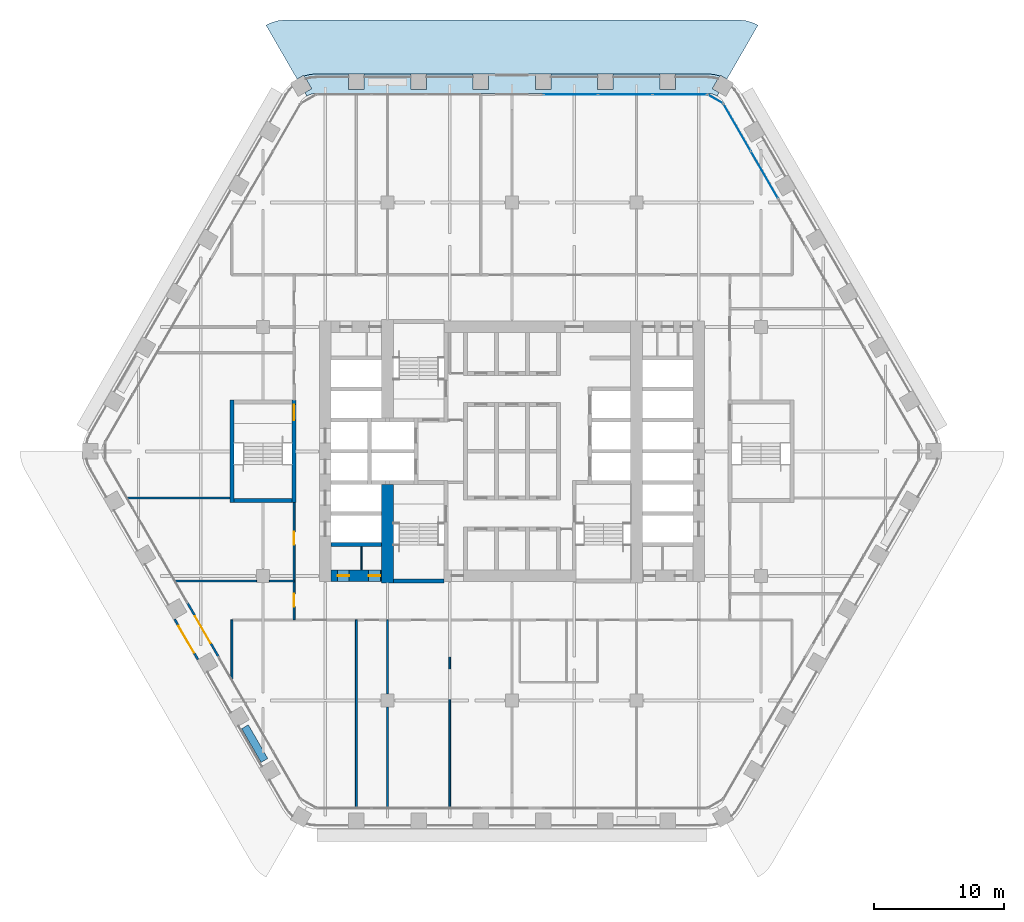
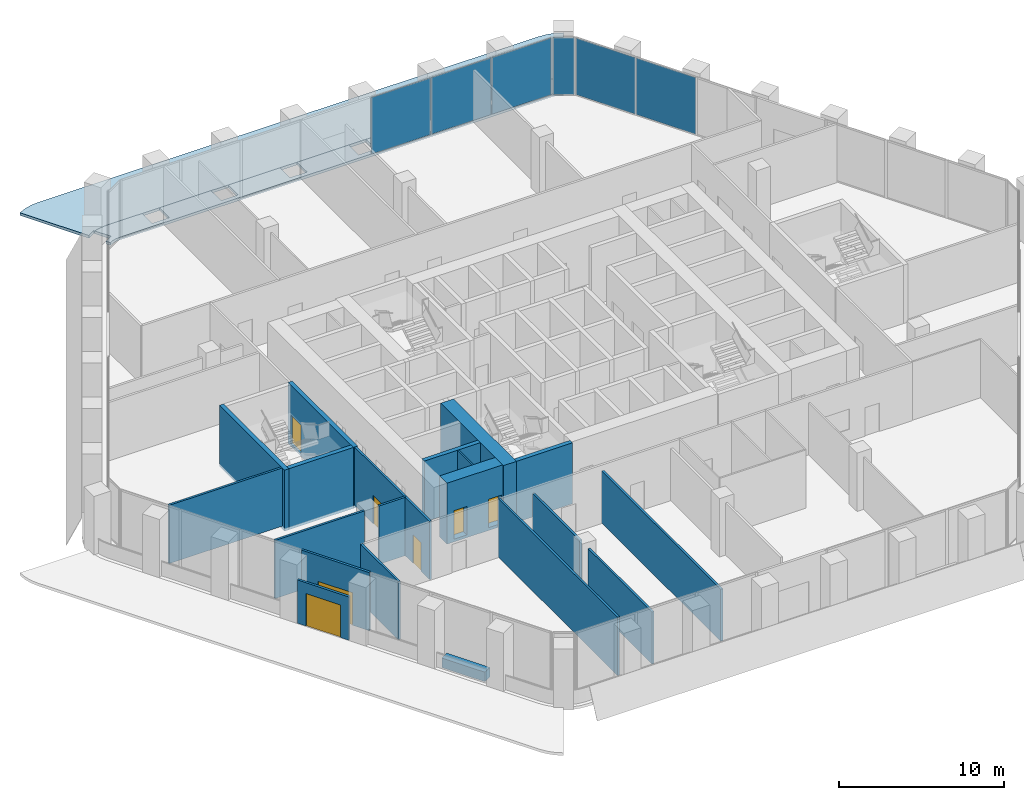
# One storey, part 12 of 23: 20 walls, 7 doors, 6 plates, 2 slabs, 7 openings, 3 elements without a shape of their own.
"""IFC4 building model written with IfcOpenShell, lengths in metres."""

from ifc_helpers import new_model, si_unit, direction, frame, frame_2d, origin, origin_2d, place, context, subcontext, project, spatial, polyline, rectangle, outline, extrude, material, layer, layer_set, type_object, element, fill, aggregate, save


model = new_model("IFC4")

# Units and contexts
model_context = context("Model", 3, precision=1e-05, world=origin(), true_north=direction((0.0, 1.0)))
body_context = subcontext(model_context, "Body", "Model", "MODEL_VIEW")
ifc_project = project(units=[si_unit("LENGTHUNIT", "METRE"), si_unit("AREAUNIT", "SQUARE_METRE"), si_unit("VOLUMEUNIT", "CUBIC_METRE"), si_unit("PLANEANGLEUNIT", "RADIAN"), si_unit("MASSUNIT", "GRAM", prefix="KILO")], contexts=[model_context])

# Site, building, storey
site_placement = place(None, origin())
site = spatial("IfcSite", under=ifc_project, at=site_placement, CompositionType="ELEMENT")
building_placement = place(site_placement, origin())
building = spatial("IfcBuilding", under=site, at=building_placement, Name="Kolab Exchange Tower", CompositionType="ELEMENT")
storey_placement = place(building_placement, frame((0.0, 0.0, 77.89990234375)))
storey = spatial("IfcBuildingStorey", under=building, at=storey_placement, Name="L14", CompositionType="ELEMENT", Elevation=77.89990234375)

# Slabs
ifc_material_1 = material(Name="Concrete C35/45", Category="concrete")
ifc_layer_1 = layer(ifc_material_1, 0.199951171875)
ifc_layer_set_1 = layer_set([ifc_layer_1], Name="Concrete C35/45")
slab_type_1 = type_object("IfcSlabType", Name="LOGGIA SLAB 200", PredefinedType="FLOOR", material=ifc_layer_set_1)
slab_1_placement = place(storey_placement, frame((0.0, 0.0, -0.199951171875)))
element("IfcSlab", 1, at=slab_1_placement, inside=storey, type_object=slab_type_1, Name="slab/L14/loggia/0-0", PredefinedType="FLOOR", context=body_context, shape_type="SweptSolid", body=[
    extrude(outline(polyline([(15.81787109375, 27.3974609375), (15.968017578125, 27.6572265625), (15.4482421875, 27.957275390625), (16.014892578125, 28.938720703125), (15.5888671875, 29.052978515625), (15.06787109375, 29.098388671875), (12.60009765625, 29.098388671875), (12.60009765625, 27.8984375), (11.39990234375, 27.8984375), (11.39990234375, 29.098388671875), (7.800048828125, 29.098388671875), (7.800048828125, 27.8984375), (6.60009765625, 27.8984375), (6.60009765625, 29.098388671875), (3.0, 29.098388671875), (3.0, 27.8984375), (1.800048828125, 27.8984375), (1.800048828125, 29.098388671875), (-1.800048828125, 29.098388671875), (-1.800048828125, 27.8984375), (-3.0, 27.8984375), (-3.0, 29.098388671875), (-6.60009765625, 29.098388671875), (-6.60009765625, 27.8984375), (-7.800048828125, 27.8984375), (-7.800048828125, 29.098388671875), (-11.39990234375, 29.098388671875), (-11.39990234375, 27.8984375), (-12.60009765625, 27.8984375), (-12.60009765625, 29.098388671875), (-15.06787109375, 29.098388671875), (-15.5888671875, 29.052978515625), (-16.014892578125, 28.938720703125), (-15.4482421875, 27.957275390625), (-15.968017578125, 27.6572265625), (-15.81787109375, 27.3974609375), (-15.5810546875, 27.508056640625), (-15.328369140625, 27.57568359375), (-15.06787109375, 27.598388671875), (15.06787109375, 27.598388671875), (15.328369140625, 27.57568359375), (15.5810546875, 27.508056640625), (15.81787109375, 27.3974609375)])), origin(), (0.0, 0.0, 1.0), 0.199951171875),
])
ifc_layer_2 = layer(ifc_material_1, 0.199951171875)
ifc_layer_set_2 = layer_set([ifc_layer_2], Name="Concrete C35/45")
slab_type_2 = type_object("IfcSlabType", Name="TERRACE SLAB 200 PLANTED", PredefinedType="ROOF", material=ifc_layer_set_2)
slab_2_placement = place(storey_placement, frame((0.0, 0.0, -0.199951171875)))
element("IfcSlab", 2, at=slab_2_placement, inside=storey, type_object=slab_type_2, Name="slab/L13/ledge-L14-F1/0", PredefinedType="ROOF", context=body_context, shape_type="SweptSolid", body=[
    extrude(outline(polyline([(-18.968017578125, 32.853515625), (-16.56787109375, 28.696533203125), (-16.04833984375, 28.99658203125), (-16.014892578125, 28.938720703125), (-15.5888671875, 29.052978515625), (-15.06787109375, 29.098388671875), (-12.60009765625, 29.098388671875), (-11.39990234375, 29.098388671875), (-7.800048828125, 29.098388671875), (-6.60009765625, 29.098388671875), (-3.0, 29.098388671875), (-1.800048828125, 29.098388671875), (1.800048828125, 29.098388671875), (3.0, 29.098388671875), (6.60009765625, 29.098388671875), (7.800048828125, 29.098388671875), (11.39990234375, 29.098388671875), (12.60009765625, 29.098388671875), (15.06787109375, 29.098388671875), (15.5888671875, 29.052978515625), (16.014892578125, 28.938720703125), (16.04833984375, 28.99658203125), (16.56787109375, 28.696533203125), (18.968017578125, 32.853515625), (18.493896484375, 33.074462890625), (17.989013671875, 33.209716796875), (17.468017578125, 33.25537109375), (-17.468017578125, 33.25537109375), (-17.989013671875, 33.209716796875), (-18.493896484375, 33.074462890625), (-18.968017578125, 32.853515625)])), origin(), (0.0, 0.0, 1.0), 0.199951171875),
])

# Curtain wall, plates
ifc_material_2 = material(Name="Aluminium EN AW-6063 T6", Category="aluminium")
curtain_wall_type = type_object("IfcCurtainWallType", Name="UNITISED LOWER MID ZONE CURTAIN WALL", PredefinedType="NOTDEFINED", material=ifc_material_2)
curtain_wall_1_placement = place(storey_placement, origin())
curtain_wall_1 = element("IfcCurtainWall", 3, at=curtain_wall_1_placement, inside=storey, type_object=curtain_wall_type, Name="cw/L14/F1-2", PredefinedType="NOTDEFINED")
ifc_material_3 = material(Name="Clear insulated glazing unit", Category="glass")
ifc_layer_3 = layer(ifc_material_3, 0.02587890625)
ifc_layer_set_3 = layer_set([ifc_layer_3], Name="Clear insulated glazing unit")
plate_type = type_object("IfcPlateType", Name="UNITISED LOWER MID ZONE GLASS PANEL 26", PredefinedType="CURTAIN_PANEL", material=ifc_layer_set_3)
plate_1_placement = place(storey_placement, frame((4.5263671875, 27.5185546875, 0.06005859375), z_axis=(0.0, 0.0, 1.0), x_axis=(1.0, 0.0, 0.0)))
plate_1 = element("IfcPlate", 4, at=plate_1_placement, type_object=plate_type, Name="CW2 panel 1.1", PredefinedType="CURTAIN_PANEL", context=body_context, shape_type="SweptSolid", body=[
    extrude(rectangle(XDim=4.132568359375, YDim=0.02587890625, at=origin_2d()), origin(), (0.0, 0.0, 1.0), 4.179931640625),
])
plate_2_placement = place(storey_placement, frame((8.73388671875, 27.5185546875, 0.06005859375), z_axis=(0.0, 0.0, 1.0), x_axis=(1.0, 0.0, 0.0)))
plate_2 = element("IfcPlate", 5, at=plate_2_placement, type_object=plate_type, Name="CW2 panel 2.1", PredefinedType="CURTAIN_PANEL", context=body_context, shape_type="SweptSolid", body=[
    extrude(rectangle(XDim=4.16259765625, YDim=0.02587890625, at=origin_2d()), origin(), (0.0, 0.0, 1.0), 4.179931640625),
])
plate_3_placement = place(storey_placement, frame((12.941650390625, 27.5185546875, 0.06005859375), z_axis=(0.0, 0.0, 1.0), x_axis=(1.0, 0.0, 0.0)))
plate_3 = element("IfcPlate", 6, at=plate_3_placement, type_object=plate_type, Name="CW2 panel 3.1", PredefinedType="CURTAIN_PANEL", context=body_context, shape_type="SweptSolid", body=[
    extrude(rectangle(XDim=4.132568359375, YDim=0.02587890625, at=origin_2d()), origin(), (0.0, 0.0, 1.0), 4.179931640625),
])
aggregate(curtain_wall_1, [plate_1, plate_2, plate_3])

curtain_wall_2_placement = place(storey_placement, origin())
curtain_wall_2 = element("IfcCurtainWall", 7, at=curtain_wall_2_placement, inside=storey, type_object=curtain_wall_type, Name="cw/L14/F2-1", PredefinedType="NOTDEFINED")
plate_4_placement = place(storey_placement, frame((17.36083984375, 24.967041015625, 0.06005859375), z_axis=(0.0, 0.0, 1.0), x_axis=(0.500000017564, -0.866025393644, 0.0)))
plate_4 = element("IfcPlate", 8, at=plate_4_placement, type_object=plate_type, Name="CW2 panel 1.1", PredefinedType="CURTAIN_PANEL", context=body_context, shape_type="SweptSolid", body=[
    extrude(rectangle(XDim=4.132568359375, YDim=0.02587890625, at=origin_2d()), origin(), (0.0, 0.0, 1.0), 4.179931640625),
])
plate_5_placement = place(storey_placement, frame((19.464599609375, 21.322998046875, 0.06005859375), z_axis=(0.0, 0.0, 1.0), x_axis=(0.500000017564, -0.866025393644, 0.0)))
plate_5 = element("IfcPlate", 9, at=plate_5_placement, type_object=plate_type, Name="CW2 panel 2.1", PredefinedType="CURTAIN_PANEL", context=body_context, shape_type="SweptSolid", body=[
    extrude(rectangle(XDim=4.16259765625, YDim=0.02587890625, at=origin_2d()), origin(), (0.0, 0.0, 1.0), 4.179931640625),
])
aggregate(curtain_wall_2, [plate_4, plate_5])

# Curtain wall, plate
curtain_wall_3_placement = place(storey_placement, origin())
curtain_wall_3 = element("IfcCurtainWall", 10, at=curtain_wall_3_placement, inside=storey, type_object=curtain_wall_type, Name="cw/L14/F1F2-corner", PredefinedType="NOTDEFINED")
plate_6_placement = place(storey_placement, frame((15.682861328125, 27.16357421875, 0.06005859375), z_axis=(0.0, 0.0, 1.0), x_axis=(0.866025390869, -0.50000002237, 0.0)))
plate_6 = element("IfcPlate", 11, at=plate_6_placement, type_object=plate_type, Name="CW2 panel 1.1", PredefinedType="CURTAIN_PANEL", context=body_context, shape_type="SweptSolid", body=[
    extrude(rectangle(XDim=1.300048828125, YDim=0.02587890625, at=origin_2d()), origin(), (0.0, 0.0, 1.0), 4.179931640625),
])
aggregate(curtain_wall_3, [plate_6])

# Wall, openings, doors
ifc_material_4 = material(Name="Concrete C70/85", Category="concrete")
ifc_layer_4 = layer(ifc_material_4, 0.89990234375)
ifc_layer_set_4 = layer_set([ifc_layer_4], Name="Concrete C70/85")
wall_type_1 = type_object("IfcWallType", Name="CORE WALL 900 C70/85", PredefinedType="SHEAR", material=ifc_layer_set_4)
wall_1_placement = place(storey_placement, frame((-13.949951171875, -9.60009765625, -0.199951171875), z_axis=(0.0, 0.0, 1.0), x_axis=(1.0, 0.0, 0.0)))
wall_1 = element("IfcWall", 12, at=wall_1_placement, inside=storey, type_object=wall_type_1, Name="wall/L14/core/002", PredefinedType="SHEAR", context=body_context, shape_type="SweptSolid", body=[
    extrude(rectangle(XDim=3.89990234375, YDim=0.89990234375, at=frame_2d((1.949951171875, 0.0))), origin(), (0.0, 0.0, 1.0), 4.5),
])
opening_1_placement = place(wall_1_placement, frame((0.5, 0.0, 0.199951171875)))
opening_1 = element("IfcOpeningElement", 13, at=opening_1_placement, cuts=wall_1, Name="Opening D6-209", PredefinedType="OPENING", context=body_context, shape_type="SweptSolid", body=[
    extrude(rectangle(XDim=0.89990234375, YDim=2.10009765625, at=frame_2d((0.449951171875, 1.050048828125))), frame((0.0, 0.4599609375, 0.0), z_axis=(0.0, -1.0, 0.0), x_axis=(1.0, 0.0, 0.0)), (0.0, 0.0, 1.0), 0.919921875),
])
opening_2_placement = place(wall_1_placement, frame((2.89990234375, 0.0, 0.199951171875)))
opening_2 = element("IfcOpeningElement", 14, at=opening_2_placement, cuts=wall_1, Name="Opening D6-210", PredefinedType="OPENING", context=body_context, shape_type="SweptSolid", body=[
    extrude(rectangle(XDim=0.89990234375, YDim=2.10009765625, at=frame_2d((0.449951171875, 1.050048828125))), frame((0.0, 0.4599609375, 0.0), z_axis=(0.0, -1.0, 0.0), x_axis=(1.0, 0.0, 0.0)), (0.0, 0.0, 1.0), 0.919921875),
])
ifc_material_5 = material(Name="Steel S235", Category="steel")
door_type_1 = type_object("IfcDoorType", Name="CORE DOOR 900 EI 120", OperationType="SINGLE_SWING_LEFT", PredefinedType="DOOR", material=ifc_material_5)
door_1_placement = place(opening_1_placement, origin())
door_1 = element("IfcDoor", 15, at=door_1_placement, inside=storey, type_object=door_type_1, Name="Service room door", OperationType="SINGLE_SWING_LEFT", OverallHeight=2.10009765625, OverallWidth=0.89990234375, PredefinedType="DOOR", context=body_context, shape_type="SweptSolid", body=[
    extrude(rectangle(XDim=0.89990234375, YDim=2.10009765625, at=frame_2d((0.449951171875, 1.050048828125))), frame((0.0, 0.02490234375, 0.0), z_axis=(0.0, -1.0, 0.0), x_axis=(1.0, 0.0, 0.0)), (0.0, 0.0, 1.0), 0.050048828125),
])
fill(opening_1, door_1)
door_2_placement = place(opening_2_placement, origin())
door_2 = element("IfcDoor", 16, at=door_2_placement, inside=storey, type_object=door_type_1, Name="Service room door", OperationType="SINGLE_SWING_LEFT", OverallHeight=2.10009765625, OverallWidth=0.89990234375, PredefinedType="DOOR", context=body_context, shape_type="SweptSolid", body=[
    extrude(rectangle(XDim=0.89990234375, YDim=2.10009765625, at=frame_2d((0.449951171875, 1.050048828125))), frame((0.0, 0.02490234375, 0.0), z_axis=(0.0, -1.0, 0.0), x_axis=(1.0, 0.0, 0.0)), (0.0, 0.0, 1.0), 0.050048828125),
])
fill(opening_2, door_2)

# Wall
wall_2_placement = place(storey_placement, frame((-9.60009765625, -10.14990234375, -0.199951171875), z_axis=(0.0, 0.0, 1.0), x_axis=(0.0, 1.0, 0.0)))
element("IfcWall", 17, at=wall_2_placement, inside=storey, type_object=wall_type_1, Name="wall/L14/core/059", PredefinedType="SHEAR", context=body_context, shape_type="SweptSolid", body=[
    extrude(rectangle(XDim=7.599853515625, YDim=0.89990234375, at=frame_2d((3.7998046875, 0.0))), origin(), (0.0, 0.0, 1.0), 4.5),
])

# Wall, opening, door
ifc_layer_5 = layer(ifc_material_2, 0.159912109375)
ifc_layer_set_5 = layer_set([ifc_layer_5], Name="Aluminium EN AW-6063 T6")
wall_type_2 = type_object("IfcWallType", Name="DOOR SURROUND WALL 160 ALUMINIUM FRAMED", PredefinedType="PARTITIONING", material=ifc_layer_set_5)
wall_3_placement = place(storey_placement, frame((-22.646728515625, -15.811767578125, 0.0), z_axis=(0.0, 0.0, 1.0), x_axis=(-0.499978080042, 0.866038058908, 0.0)))
wall_3 = element("IfcWall", 18, at=wall_3_placement, inside=storey, type_object=wall_type_2, Name="Door surround wall", PredefinedType="PARTITIONING", context=body_context, shape_type="SweptSolid", body=[
    extrude(rectangle(XDim=4.739990234375, YDim=0.159912109375, at=frame_2d((2.3701171875, 0.0))), origin(), (0.0, 0.0, 1.0), 4.300048828125),
])
opening_3_placement = place(wall_3_placement, frame((1.169921875, 0.0, 0.0)))
opening_3 = element("IfcOpeningElement", 19, at=opening_3_placement, cuts=wall_3, Name="Opening GD1-038", PredefinedType="OPENING", context=body_context, shape_type="SweptSolid", body=[
    extrude(rectangle(XDim=2.39990234375, YDim=2.39990234375, at=frame_2d((1.199951171875, 1.199951171875))), frame((0.0, 0.08984375, 0.0), z_axis=(0.0, -1.0, 0.0), x_axis=(1.0, 0.0, 0.0)), (0.0, 0.0, 1.0), 0.179931640625),
])
door_type_2 = type_object("IfcDoorType", Name="LOGGIA SLIDING GLASS DOOR 2400 X 2400", OperationType="DOUBLE_DOOR_SINGLE_SWING", PredefinedType="DOOR", material=ifc_material_2)
door_3_placement = place(opening_3_placement, origin())
door_3 = element("IfcDoor", 20, at=door_3_placement, inside=storey, type_object=door_type_2, Name="Loggia door", OperationType="DOUBLE_DOOR_SLIDING", OverallHeight=2.39990234375, OverallWidth=2.39990234375, PredefinedType="DOOR", context=body_context, shape_type="SweptSolid", body=[
    extrude(rectangle(XDim=2.39990234375, YDim=2.39990234375, at=frame_2d((1.199951171875, 1.199951171875))), frame((0.0, 0.02490234375, 0.0), z_axis=(0.0, -1.0, 0.0), x_axis=(1.0, 0.0, 0.0)), (0.0, 0.0, 1.0), 0.050048828125),
])
fill(opening_3, door_3)

wall_4_placement = place(storey_placement, frame((-24.21435546875, -16.056396484375, 0.0), z_axis=(0.0, 0.0, 1.0), x_axis=(-0.500016292001, 0.866015997389, 0.0)))
wall_4 = element("IfcWall", 21, at=wall_4_placement, inside=storey, type_object=wall_type_2, Name="Door surround wall", PredefinedType="PARTITIONING", context=body_context, shape_type="SweptSolid", body=[
    extrude(rectangle(XDim=3.59619140625, YDim=0.159912109375, at=frame_2d((1.798095703125, 0.0))), origin(), (0.0, 0.0, 1.0), 3.2001953125),
])
opening_4_placement = place(wall_4_placement, frame((0.597900390625, 0.0, 0.0)))
opening_4 = element("IfcOpeningElement", 22, at=opening_4_placement, cuts=wall_4, Name="Opening GD1-042", PredefinedType="OPENING", context=body_context, shape_type="SweptSolid", body=[
    extrude(rectangle(XDim=2.39990234375, YDim=2.39990234375, at=frame_2d((1.199951171875, 1.199951171875))), frame((0.0, 0.08984375, 0.0), z_axis=(0.0, -1.0, 0.0), x_axis=(1.0, 0.0, 0.0)), (0.0, 0.0, 1.0), 0.179931640625),
])
door_4_placement = place(opening_4_placement, origin())
door_4 = element("IfcDoor", 23, at=door_4_placement, inside=storey, type_object=door_type_2, Name="Terrace door", OperationType="DOUBLE_DOOR_SLIDING", OverallHeight=2.39990234375, OverallWidth=2.39990234375, PredefinedType="DOOR", context=body_context, shape_type="SweptSolid", body=[
    extrude(rectangle(XDim=2.39990234375, YDim=2.39990234375, at=frame_2d((1.199951171875, 1.199951171875))), frame((0.0, 0.02490234375, 0.0), z_axis=(0.0, -1.0, 0.0), x_axis=(1.0, 0.0, 0.0)), (0.0, 0.0, 1.0), 0.050048828125),
])
fill(opening_4, door_4)

# Walls
ifc_material_6 = material(Name="Concrete C50/60", Category="concrete")
ifc_layer_6 = layer(ifc_material_6, 0.300048828125)
ifc_layer_set_6 = layer_set([ifc_layer_6], Name="Concrete C50/60")
wall_type_3 = type_object("IfcWallType", Name="LIFT SHAFT WALL 300 C50/60", PredefinedType="STANDARD", material=ifc_layer_set_6)
wall_5_placement = place(storey_placement, frame((-13.949951171875, -7.199951171875, -0.199951171875), z_axis=(0.0, 0.0, 1.0), x_axis=(1.0, 0.0, 0.0)))
element("IfcWall", 24, at=wall_5_placement, inside=storey, type_object=wall_type_3, Name="wall/L14/core/005", PredefinedType="STANDARD", context=body_context, shape_type="SweptSolid", body=[
    extrude(rectangle(XDim=3.89990234375, YDim=0.300048828125, at=frame_2d((1.949951171875, 0.0))), origin(), (0.0, 0.0, 1.0), 4.5),
])
ifc_material_7 = material(Name="Gypsum board", Category="gypsum")
ifc_layer_7 = layer(ifc_material_7, 0.10009765625)
ifc_layer_set_7 = layer_set([ifc_layer_7], Name="Gypsum board")
wall_type_4 = type_object("IfcWallType", Name="PARTITION 100", PredefinedType="PARTITIONING", material=ifc_layer_set_7)
wall_6_placement = place(storey_placement, frame((-11.60009765625, -9.14990234375, 0.0), z_axis=(0.0, 0.0, 1.0), x_axis=(0.0, 1.0, 0.0)))
element("IfcWall", 25, at=wall_6_placement, inside=storey, type_object=wall_type_4, Name="Partition 026", PredefinedType="PARTITIONING", context=body_context, shape_type="SweptSolid", body=[
    extrude(rectangle(XDim=1.7998046875, YDim=0.10009765625, at=frame_2d((0.89990234375, 0.0))), origin(), (0.0, 0.0, 1.0), 4.300048828125),
])
ifc_layer_8 = layer(ifc_material_7, 0.14990234375)
ifc_layer_set_8 = layer_set([ifc_layer_8], Name="Gypsum board")
wall_type_5 = type_object("IfcWallType", Name="PARTITION 150 FIRE-RATED", PredefinedType="PARTITIONING", material=ifc_layer_set_8)
wall_7_placement = place(storey_placement, frame((-4.800048828125, -27.428466796875, 0.0), z_axis=(0.0, 0.0, 1.0), x_axis=(0.0, 1.0, 0.0)))
element("IfcWall", 26, at=wall_7_placement, inside=storey, type_object=wall_type_5, Name="Partition 019", PredefinedType="PARTITIONING", context=body_context, shape_type="SweptSolid", body=[
    extrude(rectangle(XDim=14.428466796875, YDim=0.14990234375, at=frame_2d((7.21435546875, 0.0))), origin(), (0.0, 0.0, 1.0), 3.843017578125),
])
wall_8_placement = place(storey_placement, frame((-9.60009765625, -27.428466796875, 0.0), z_axis=(0.0, 0.0, 1.0), x_axis=(0.0, 1.0, 0.0)))
element("IfcWall", 27, at=wall_8_placement, inside=storey, type_object=wall_type_5, Name="Partition 023", PredefinedType="PARTITIONING", context=body_context, shape_type="SweptSolid", body=[
    extrude(rectangle(XDim=7.728515625, YDim=0.14990234375, at=frame_2d((3.8642578125, 0.0))), origin(), (0.0, 0.0, 1.0), 3.843017578125),
])
wall_9_placement = place(storey_placement, frame((-9.60009765625, -18.699951171875, 0.0), z_axis=(0.0, 0.0, 1.0), x_axis=(0.0, 1.0, 0.0)))
element("IfcWall", 28, at=wall_9_placement, inside=storey, type_object=wall_type_5, Name="Partition 024", PredefinedType="PARTITIONING", context=body_context, shape_type="SweptSolid", body=[
    extrude(rectangle(XDim=5.699951171875, YDim=0.14990234375, at=frame_2d((2.85009765625, 0.0))), origin(), (0.0, 0.0, 1.0), 3.843017578125),
])
wall_10_placement = place(storey_placement, frame((-12.0, -27.428466796875, 0.0), z_axis=(0.0, 0.0, 1.0), x_axis=(0.0, 1.0, 0.0)))
element("IfcWall", 29, at=wall_10_placement, inside=storey, type_object=wall_type_5, Name="Partition 027", PredefinedType="PARTITIONING", context=body_context, shape_type="SweptSolid", body=[
    extrude(rectangle(XDim=14.428466796875, YDim=0.14990234375, at=frame_2d((7.21435546875, 0.0))), origin(), (0.0, 0.0, 1.0), 4.300048828125),
])

# Wall, openings, doors
wall_11_placement = place(storey_placement, frame((-16.800048828125, -13.0, 0.0), z_axis=(0.0, 0.0, 1.0), x_axis=(0.0, 1.0, 0.0)))
wall_11 = element("IfcWall", 30, at=wall_11_placement, inside=storey, type_object=wall_type_5, Name="Partition 029", PredefinedType="PARTITIONING", context=body_context, shape_type="SweptSolid", body=[
    extrude(rectangle(XDim=9.050048828125, YDim=0.14990234375, at=frame_2d((4.52490234375, 0.0))), origin(), (0.0, 0.0, 1.0), 4.300048828125),
])
opening_5_placement = place(wall_11_placement, frame((1.0, 0.0, 0.0)))
opening_5 = element("IfcOpeningElement", 31, at=opening_5_placement, cuts=wall_11, Name="Opening D1-216", PredefinedType="OPENING", context=body_context, shape_type="SweptSolid", body=[
    extrude(rectangle(XDim=1.0, YDim=2.10009765625, at=frame_2d((0.5, 1.050048828125))), frame((0.0, 0.0849609375, 0.0), z_axis=(0.0, -1.0, 0.0), x_axis=(1.0, 0.0, 0.0)), (0.0, 0.0, 1.0), 0.169921875),
])
opening_6_placement = place(wall_11_placement, frame((5.800048828125, 0.0, 0.0)))
opening_6 = element("IfcOpeningElement", 32, at=opening_6_placement, cuts=wall_11, Name="Opening D1-217", PredefinedType="OPENING", context=body_context, shape_type="SweptSolid", body=[
    extrude(rectangle(XDim=1.0, YDim=2.10009765625, at=frame_2d((0.5, 1.050048828125))), frame((0.0, 0.0849609375, 0.0), z_axis=(0.0, -1.0, 0.0), x_axis=(1.0, 0.0, 0.0)), (0.0, 0.0, 1.0), 0.169921875),
])
door_type_3 = type_object("IfcDoorType", Name="FLUSH DOOR 1000 FD60", OperationType="SINGLE_SWING_LEFT", PredefinedType="DOOR", material=ifc_material_5)
door_5_placement = place(opening_5_placement, origin())
door_5 = element("IfcDoor", 33, at=door_5_placement, inside=storey, type_object=door_type_3, Name="Door L14-066", OperationType="SINGLE_SWING_LEFT", OverallHeight=2.10009765625, OverallWidth=1.0, PredefinedType="DOOR", context=body_context, shape_type="SweptSolid", body=[
    extrude(rectangle(XDim=1.0, YDim=2.10009765625, at=frame_2d((0.5, 1.050048828125))), frame((0.0, 0.02490234375, 0.0), z_axis=(0.0, -1.0, 0.0), x_axis=(1.0, 0.0, 0.0)), (0.0, 0.0, 1.0), 0.050048828125),
])
fill(opening_5, door_5)
door_6_placement = place(opening_6_placement, origin())
door_6 = element("IfcDoor", 34, at=door_6_placement, inside=storey, type_object=door_type_3, Name="Door L14-067", OperationType="SINGLE_SWING_RIGHT", OverallHeight=2.10009765625, OverallWidth=1.0, PredefinedType="DOOR", context=body_context, shape_type="SweptSolid", body=[
    extrude(rectangle(XDim=1.0, YDim=2.10009765625, at=frame_2d((0.5, 1.050048828125))), frame((0.0, 0.02490234375, 0.0), z_axis=(0.0, -1.0, 0.0), x_axis=(1.0, 0.0, 0.0)), (0.0, 0.0, 1.0), 0.050048828125),
])
fill(opening_6, door_6)

# Walls
wall_12_placement = place(storey_placement, frame((-21.60009765625, -17.544677734375, 0.0), z_axis=(0.0, 0.0, 1.0), x_axis=(0.0, 1.0, 0.0)))
element("IfcWall", 35, at=wall_12_placement, inside=storey, type_object=wall_type_5, Name="Partition 031", PredefinedType="PARTITIONING", context=body_context, shape_type="SweptSolid", body=[
    extrude(rectangle(XDim=4.544677734375, YDim=0.14990234375, at=frame_2d((2.2724609375, 0.0))), origin(), (0.0, 0.0, 1.0), 4.300048828125),
])
wall_13_placement = place(storey_placement, frame((-25.955810546875, -10.0, 0.0), z_axis=(0.0, 0.0, 1.0), x_axis=(1.0, 0.0, 0.0)))
element("IfcWall", 36, at=wall_13_placement, inside=storey, type_object=wall_type_5, Name="Partition 037", PredefinedType="PARTITIONING", context=body_context, shape_type="SweptSolid", body=[
    extrude(rectangle(XDim=6.255859375, YDim=0.14990234375, at=frame_2d((3.1279296875, 0.0))), origin(), (0.0, 0.0, 1.0), 4.300048828125),
])
wall_14_placement = place(storey_placement, frame((-18.699951171875, -10.0, 0.0), z_axis=(0.0, 0.0, 1.0), x_axis=(1.0, 0.0, 0.0)))
element("IfcWall", 37, at=wall_14_placement, inside=storey, type_object=wall_type_5, Name="Partition 038", PredefinedType="PARTITIONING", context=body_context, shape_type="SweptSolid", body=[
    extrude(rectangle(XDim=1.89990234375, YDim=0.14990234375, at=frame_2d((0.949951171875, 0.0))), origin(), (0.0, 0.0, 1.0), 4.300048828125),
])
wall_15_placement = place(storey_placement, frame((-29.65087890625, -3.60009765625, 0.0), z_axis=(0.0, 0.0, 1.0), x_axis=(1.0, 0.0, 0.0)))
element("IfcWall", 38, at=wall_15_placement, inside=storey, type_object=wall_type_5, Name="Partition 040", PredefinedType="PARTITIONING", context=body_context, shape_type="SweptSolid", body=[
    extrude(rectangle(XDim=7.90087890625, YDim=0.14990234375, at=frame_2d((3.950439453125, 0.0))), origin(), (0.0, 0.0, 1.0), 4.300048828125),
])
ifc_material_8 = material(Name="Granite facing", Category="masonry")
ifc_layer_9 = layer(ifc_material_8, 0.0400390625)
ifc_material_9 = material(Name="Concrete C40/50 precast", Category="concrete")
ifc_layer_10 = layer(ifc_material_9, 0.56005859375)
ifc_layer_set_9 = layer_set([ifc_layer_9, ifc_layer_10], Name="Concrete C40/50 precast")
wall_type_6 = type_object("IfcWallType", Name="PLANTER BOX 600 X 700 SOIL DEPTH 550", PredefinedType="USERDEFINED", material=ifc_layer_set_9)
wall_16_placement = place(storey_placement, frame((-19.087158203125, -23.837158203125, 0.0), z_axis=(0.0, 0.0, 1.0), x_axis=(-0.499990139034, 0.866031096941, 0.0)))
element("IfcWall", 39, at=wall_16_placement, inside=storey, type_object=wall_type_6, Name="Planter", ObjectType="PLANTER", PredefinedType="USERDEFINED", context=body_context, shape_type="SweptSolid", body=[
    extrude(rectangle(XDim=3.0, YDim=0.60009765625, at=frame_2d((1.5, 0.0))), origin(), (0.0, 0.0, 1.0), 0.7001953125),
])
ifc_layer_11 = layer(ifc_material_6, 0.300048828125)
ifc_layer_set_10 = layer_set([ifc_layer_11], Name="Concrete C50/60")
wall_type_7 = type_object("IfcWallType", Name="STAIR ENCLOSURE WALL 300 C50/60", PredefinedType="STANDARD", material=ifc_layer_set_10)
wall_17_placement = place(storey_placement, frame((-9.14990234375, -10.0, -0.199951171875), z_axis=(0.0, 0.0, 1.0), x_axis=(1.0, 0.0, 0.0)))
element("IfcWall", 40, at=wall_17_placement, inside=storey, type_object=wall_type_7, Name="wall/L14/core/000", PredefinedType="STANDARD", context=body_context, shape_type="SweptSolid", body=[
    extrude(rectangle(XDim=3.89990234375, YDim=0.300048828125, at=frame_2d((1.949951171875, 0.0))), origin(), (0.0, 0.0, 1.0), 4.5),
])
wall_18_placement = place(storey_placement, frame((-21.449951171875, -3.800048828125, -0.199951171875), z_axis=(0.0, 0.0, 1.0), x_axis=(1.0, 0.0, 0.0)))
element("IfcWall", 41, at=wall_18_placement, inside=storey, type_object=wall_type_7, Name="wall/L14/core/012", PredefinedType="STANDARD", context=body_context, shape_type="SweptSolid", body=[
    extrude(rectangle(XDim=4.5, YDim=0.300048828125, at=frame_2d((2.25, 0.0))), origin(), (0.0, 0.0, 1.0), 4.5),
])
wall_19_placement = place(storey_placement, frame((-21.60009765625, -3.949951171875, -0.199951171875), z_axis=(0.0, 0.0, 1.0), x_axis=(0.0, 1.0, 0.0)))
element("IfcWall", 42, at=wall_19_placement, inside=storey, type_object=wall_type_7, Name="wall/L14/core/055", PredefinedType="STANDARD", context=body_context, shape_type="SweptSolid", body=[
    extrude(rectangle(XDim=7.89990234375, YDim=0.300048828125, at=frame_2d((3.949951171875, 0.0))), origin(), (0.0, 0.0, 1.0), 4.5),
])

# Wall, opening, door
wall_20_placement = place(storey_placement, frame((-16.800048828125, -3.949951171875, -0.199951171875), z_axis=(0.0, 0.0, 1.0), x_axis=(0.0, 1.0, 0.0)))
wall_20 = element("IfcWall", 43, at=wall_20_placement, inside=storey, type_object=wall_type_7, Name="wall/L14/core/056", PredefinedType="STANDARD", context=body_context, shape_type="SweptSolid", body=[
    extrude(rectangle(XDim=7.89990234375, YDim=0.300048828125, at=frame_2d((3.949951171875, 0.0))), origin(), (0.0, 0.0, 1.0), 4.5),
])
opening_7_placement = place(wall_20_placement, frame((6.35009765625, 0.0, 0.199951171875)))
opening_7 = element("IfcOpeningElement", 44, at=opening_7_placement, cuts=wall_20, Name="Opening D4-048", PredefinedType="OPENING", context=body_context, shape_type="SweptSolid", body=[
    extrude(rectangle(XDim=1.199951171875, YDim=2.10009765625, at=frame_2d((0.60009765625, 1.050048828125))), frame((0.0, 0.16015625, 0.0), z_axis=(0.0, -1.0, 0.0), x_axis=(1.0, 0.0, 0.0)), (0.0, 0.0, 1.0), 0.320068359375),
])
door_type_4 = type_object("IfcDoorType", Name="STAIR DOOR 1200 EI 120", OperationType="SINGLE_SWING_LEFT", PredefinedType="DOOR", material=ifc_material_5)
door_7_placement = place(opening_7_placement, origin())
door_7 = element("IfcDoor", 45, at=door_7_placement, inside=storey, type_object=door_type_4, Name="Stair 5 door", OperationType="SINGLE_SWING_RIGHT", OverallHeight=2.10009765625, OverallWidth=1.199951171875, PredefinedType="DOOR", context=body_context, shape_type="SweptSolid", body=[
    extrude(rectangle(XDim=1.199951171875, YDim=2.10009765625, at=frame_2d((0.60009765625, 1.050048828125))), frame((0.0, 0.02490234375, 0.0), z_axis=(0.0, -1.0, 0.0), x_axis=(1.0, 0.0, 0.0)), (0.0, 0.0, 1.0), 0.050048828125),
])
fill(opening_7, door_7)

save(model, "model.ifc")
